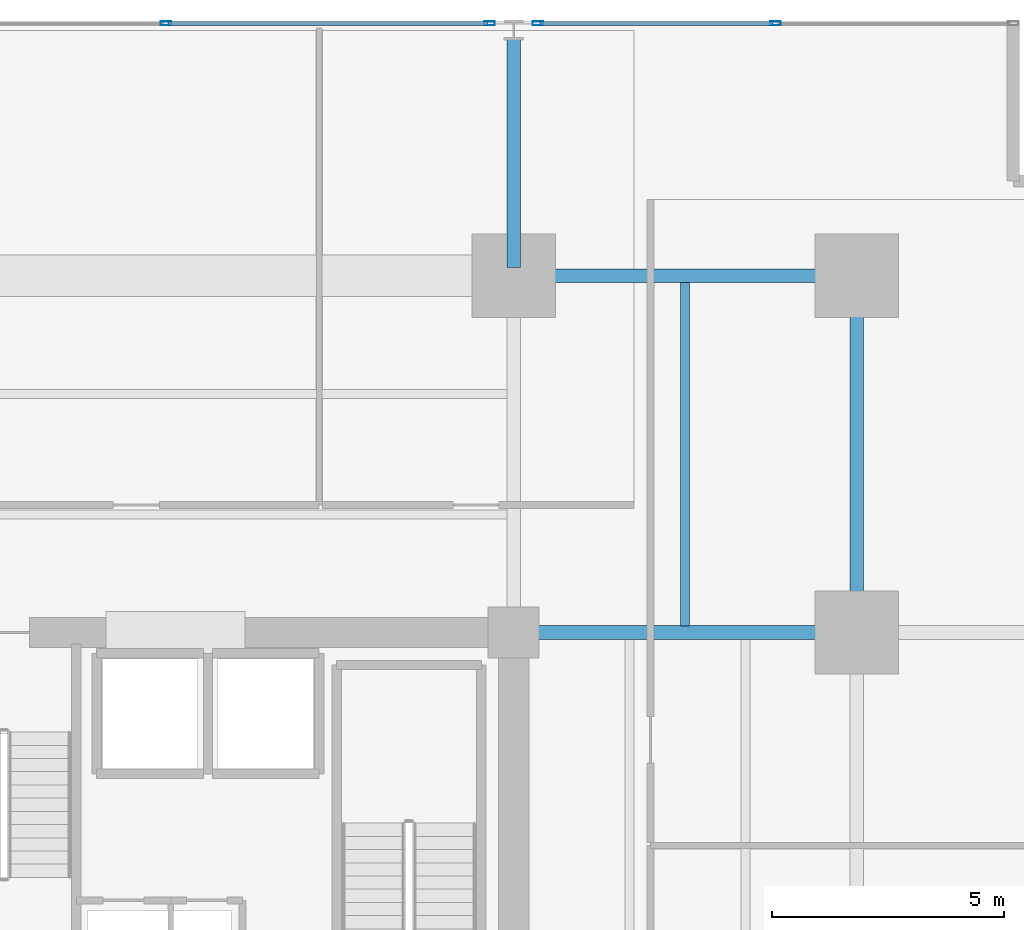
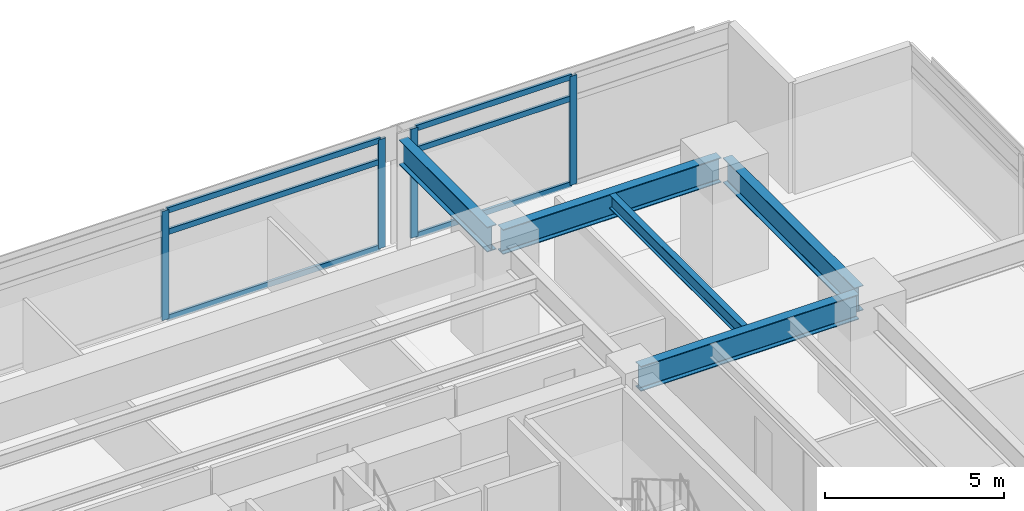
# One storey, part 11 of 22: 10 members, 5 beams, 2 elements without a shape of their own.
"""IFC4 building model written with IfcOpenShell, lengths in metres."""

import ifcopenshell
import ifcopenshell.guid

model = None  # the IFC model being written
_history = None  # IfcOwnerHistory: only IFC2X3 demands one
_inside = {}  # id of a spatial element -> (the spatial element, [elements in it])
_under = {}  # id of a project, library or spatial element -> (it, [spatial elements below it])
_declared = {}  # id of a project -> (the project, [libraries it declares])
_typed = {}  # id of a type object -> (the type object, [elements of that type])
_made_of = {}  # id of a material, layer set ... -> (it, [elements and type objects made of it])


def new_model(schema):
    """Start an empty IFC model of exactly this schema.

    Asked for "IFC4X3", IfcOpenShell would pick the latest addendum, in which some entities
    have other attributes; the version numbers below select the first issue.
    IFC2X3 requires an IfcOwnerHistory on every rooted entity: one is made here for all.
    """
    global model, _history
    if schema == "IFC4X3":
        model = ifcopenshell.file(schema_version=(4, 3, 0, 0))
    else:
        model = ifcopenshell.file(schema=schema)
    _inside.clear()
    _under.clear()
    _declared.clear()
    _typed.clear()
    _made_of.clear()
    _history = None
    if model.schema == "IFC2X3":
        org = make("IfcOrganization", Name="unknown")
        user = make(
            "IfcPersonAndOrganization",
            ThePerson=make("IfcPerson", FamilyName="unknown"),
            TheOrganization=org,
        )
        app = make(
            "IfcApplication",
            ApplicationDeveloper=org,
            Version="unknown",
            ApplicationFullName="unknown",
            ApplicationIdentifier="unknown",
        )
        _history = make(
            "IfcOwnerHistory",
            OwningUser=user,
            OwningApplication=app,
            ChangeAction="ADDED",
            CreationDate=0,
        )
    return model


def make(cls, **values):
    """One entity of the class cls with the attributes given. An attribute that is None is left unset."""
    return model.create_entity(
        cls, **{name: value for name, value in values.items() if value is not None}
    )


def rooted(cls, **values):
    """An entity with a GlobalId (a new one), such as an element, a storey or a relation."""
    return make(cls, GlobalId=ifcopenshell.guid.new(), OwnerHistory=_history, **values)


def si_unit(unit_type, name, prefix=None):
    """IfcSIUnit, for example si_unit("LENGTHUNIT", "METRE", prefix="MILLI")."""
    return make("IfcSIUnit", UnitType=unit_type, Prefix=prefix, Name=name)


def assignment(units):
    """IfcUnitAssignment: the units of a project."""
    return None if units is None else make("IfcUnitAssignment", Units=units)


def point(xyz):
    """IfcCartesianPoint."""
    return None if xyz is None else make("IfcCartesianPoint", Coordinates=xyz)


def direction(xyz):
    """IfcDirection."""
    return None if xyz is None else make("IfcDirection", DirectionRatios=xyz)


def frame(location, z_axis=None, x_axis=None):
    """IfcAxis2Placement3D, a coordinate frame: its origin and axes. An axis left out is left unset."""
    return make(
        "IfcAxis2Placement3D",
        Location=point(location),
        Axis=direction(z_axis),
        RefDirection=direction(x_axis),
    )


def frame_2d(location, x_axis=None):
    """IfcAxis2Placement2D, a coordinate frame in the plane: its origin and x axis."""
    return make(
        "IfcAxis2Placement2D", Location=point(location), RefDirection=direction(x_axis)
    )


def origin():
    """The frame at (0, 0, 0) with its axes left unset."""
    return frame((0.0, 0.0, 0.0))


def origin_2d():
    """The frame at (0, 0) in the plane with its x axis left unset."""
    return frame_2d((0.0, 0.0))


def place(relative_to, where):
    """IfcLocalPlacement: puts the frame where relative to a parent placement (None: the world)."""
    return make(
        "IfcLocalPlacement", PlacementRelTo=relative_to, RelativePlacement=where
    )


def context(
    kind, dimensions, precision=None, world=None, true_north=None, identifier=None
):
    """IfcGeometricRepresentationContext, for example the 3D "Model" context."""
    return make(
        "IfcGeometricRepresentationContext",
        ContextIdentifier=identifier,
        ContextType=kind,
        CoordinateSpaceDimension=dimensions,
        Precision=precision,
        WorldCoordinateSystem=world,
        TrueNorth=true_north,
    )


def subcontext(parent, identifier, kind, view, scale=None):
    """IfcGeometricRepresentationSubContext, for example "Body" below "Model"."""
    return make(
        "IfcGeometricRepresentationSubContext",
        ContextIdentifier=identifier,
        ContextType=kind,
        ParentContext=parent,
        TargetScale=scale,
        TargetView=view,
    )


def project(units=None, contexts=None):
    """IfcProject with its units and contexts."""
    return rooted(
        "IfcProject",
        Name="project",
        RepresentationContexts=contexts,
        UnitsInContext=assignment(units),
    )


def spatial(cls, under=None, at=None, **own):
    """A site, building, storey or space (cls), placed at a placement, below another one or the project."""
    s = rooted(cls, ObjectPlacement=at, **own)
    if under is not None:
        _under.setdefault(under.id(), (under, []))[1].append(s)
    return s


def profile(cls, at=None, kind="AREA", **sizes):
    """A parametric profile (cls). Its sizes go by their IFC names, for example OverallWidth=200.0."""
    return make(cls, ProfileType=kind, Position=at, **sizes)


def hollow_rectangle(**sizes):
    """IfcRectangleHollowProfileDef."""
    return profile("IfcRectangleHollowProfileDef", **sizes)


def i_section(**sizes):
    """IfcIShapeProfileDef."""
    return profile("IfcIShapeProfileDef", **sizes)


def extrude(swept, where, along, depth):
    """IfcExtrudedAreaSolid: the profile swept, set in the frame where, extruded along a direction by depth."""
    return make(
        "IfcExtrudedAreaSolid",
        SweptArea=swept,
        Position=where,
        ExtrudedDirection=direction(along),
        Depth=depth,
    )


def shape(context_of_items, identifier, shape_type, items):
    """IfcShapeRepresentation: the items that make up one representation, for example the "Body"."""
    return make(
        "IfcShapeRepresentation",
        ContextOfItems=context_of_items,
        RepresentationIdentifier=identifier,
        RepresentationType=shape_type,
        Items=items,
    )


def material(Name=None, Category=None):
    """IfcMaterial."""
    return make("IfcMaterial", Name=Name, Category=Category)


def material_profile(
    of_material, cross_section, Name=None, Category=None, Priority=None
):
    """IfcMaterialProfile: a cross section and its material."""
    return make(
        "IfcMaterialProfile",
        Name=Name,
        Material=of_material,
        Profile=cross_section,
        Priority=Priority,
        Category=Category,
    )


def profile_set(profiles, Name=None, composite=None):
    """IfcMaterialProfileSet."""
    return make(
        "IfcMaterialProfileSet",
        Name=Name,
        MaterialProfiles=profiles,
        CompositeProfile=composite,
    )


def made_of(thing, what):
    """Note that an element or type object is made of a material, layer set ...; save() writes the relation."""
    if what is not None:
        _made_of.setdefault(what.id(), (what, []))[1].append(thing)
    return thing


def type_object(cls, material=None, **own):
    """A type object (cls), such as IfcWallType, which elements share."""
    return made_of(rooted(cls, **own), material)


def element(
    cls,
    number,
    at=None,
    inside=None,
    cuts=None,
    type_object=None,
    material=None,
    context=None,
    identifier="Body",
    shape_type=None,
    held_by="IfcProductDefinitionShape",
    body=None,
    shapes=None,
    **own,
):
    """One element of the class cls, such as IfcWall. Its Tag is "e" and its number.

    at: its placement. inside: the storey or other place that contains it. cuts: it is an
    opening in that element (IfcRelVoidsElement). A single representation is given by context,
    identifier, shape_type and body (its items); several are given by shapes. held_by: the class
    of the entity that holds the representations. save() writes the other relations.
    """
    e = rooted(cls, Tag="e%d" % number, ObjectPlacement=at, **own)
    if body is not None:
        shapes = [shape(context, identifier, shape_type, body)]
    if shapes is not None:
        e.Representation = make(held_by, Representations=shapes)
    if inside is not None:
        _inside.setdefault(inside.id(), (inside, []))[1].append(e)
    if cuts is not None:
        rooted(
            "IfcRelVoidsElement", RelatingBuildingElement=cuts, RelatedOpeningElement=e
        )
    if type_object is not None:
        _typed.setdefault(type_object.id(), (type_object, []))[1].append(e)
    return made_of(e, material)


def aggregate(whole, parts):
    """IfcRelAggregates: a whole, such as a stair, and the parts it consists of."""
    return rooted("IfcRelAggregates", RelatingObject=whole, RelatedObjects=parts)


def save(model, path):
    """Write the relations noted so far, then the file.

    IfcRelAggregates (storeys below a building ...), IfcRelContainedInSpatialStructure (elements
    in a storey), IfcRelDefinesByType, IfcRelAssociatesMaterial and IfcRelDeclares: one each for
    every whole, place, type object, material and project.
    """
    for whole, parts in _under.values():
        aggregate(whole, parts)
    for where, things in _inside.values():
        rooted(
            "IfcRelContainedInSpatialStructure",
            RelatedElements=things,
            RelatingStructure=where,
        )
    for kind, things in _typed.values():
        rooted("IfcRelDefinesByType", RelatedObjects=things, RelatingType=kind)
    for what, things in _made_of.values():
        rooted("IfcRelAssociatesMaterial", RelatedObjects=things, RelatingMaterial=what)
    for by, libraries in _declared.values():
        rooted("IfcRelDeclares", RelatingContext=by, RelatedDefinitions=libraries)
    model.write(path)


model = new_model("IFC4")

# Units and contexts
model_context = context("Model", 3, precision=1e-05, world=origin(), true_north=direction((0.0, 1.0)))
body_context = subcontext(model_context, "Body", "Model", "MODEL_VIEW")
ifc_project = project(units=[si_unit("LENGTHUNIT", "METRE"), si_unit("AREAUNIT", "SQUARE_METRE"), si_unit("VOLUMEUNIT", "CUBIC_METRE"), si_unit("PLANEANGLEUNIT", "RADIAN"), si_unit("MASSUNIT", "GRAM", prefix="KILO")], contexts=[model_context])

# Site, building, storey
site_placement = place(None, origin())
site = spatial("IfcSite", under=ifc_project, at=site_placement, CompositionType="ELEMENT")
building_placement = place(site_placement, origin())
building = spatial("IfcBuilding", under=site, at=building_placement, Name="Kovane Verandah Tower", CompositionType="ELEMENT")
storey_placement = place(building_placement, frame((0.0, 0.0, 51.60009765625)))
storey = spatial("IfcBuildingStorey", under=building, at=storey_placement, Name="L11", CompositionType="ELEMENT", Elevation=51.60009765625)

# Beams
ifc_material_1 = material(Name="Steel S355", Category="steel")
ifc_material_profile_1 = material_profile(ifc_material_1, i_section(OverallWidth=0.293701171875, OverallDepth=0.850830078125, WebThickness=0.01611328125, FlangeThickness=0.02685546875, FilletRadius=0.017822265625, at=origin_2d()), Name="UB838x292x226")
ifc_profile_set_1 = profile_set([ifc_material_profile_1], Name="Steel S355")
beam_type_1 = type_object("IfcBeamType", Name="BM-UB838x226", PredefinedType="BEAM", material=ifc_profile_set_1)
beam_1_placement = place(storey_placement, frame((51.179931640625, 44.199951171875, 3.33447265625), z_axis=(1.0, 0.0, 0.0), x_axis=(0.0, 1.0, 0.0)))
element("IfcBeam", 1, at=beam_1_placement, inside=storey, type_object=beam_type_1, Name="L11 Primary Tower Girder G-RN3", PredefinedType="BEAM", context=body_context, shape_type="SweptSolid", body=[
    extrude(i_section(OverallWidth=0.293701171875, OverallDepth=0.850830078125, WebThickness=0.01611328125, FlangeThickness=0.02685546875, FilletRadius=0.017822265625, at=origin_2d()), origin(), (0.0, 0.0, 1.0), 7.0400390625),
])
beam_2_placement = place(storey_placement, frame((58.39990234375, 36.679931640625, 3.33447265625), z_axis=(0.0, 1.0, 0.0), x_axis=(-1.0, 0.0, 0.0)))
element("IfcBeam", 2, at=beam_2_placement, inside=storey, type_object=beam_type_1, Name="L11 Primary Tower Girder G-RE3", PredefinedType="BEAM", context=body_context, shape_type="SweptSolid", body=[
    extrude(i_section(OverallWidth=0.293701171875, OverallDepth=0.850830078125, WebThickness=0.01611328125, FlangeThickness=0.02685546875, FilletRadius=0.017822265625, at=origin_2d()), origin(), (0.0, 0.0, 1.0), 7.340087890625),
])
beam_3_placement = place(storey_placement, frame((51.179931640625, 36.5, 3.33447265625), z_axis=(1.0, 0.0, 0.0), x_axis=(0.0, 1.0, 0.0)))
element("IfcBeam", 3, at=beam_3_placement, inside=storey, type_object=beam_type_1, Name="L11 Primary Tower Girder G-E2", PredefinedType="BEAM", context=body_context, shape_type="SweptSolid", body=[
    extrude(i_section(OverallWidth=0.293701171875, OverallDepth=0.850830078125, WebThickness=0.01611328125, FlangeThickness=0.02685546875, FilletRadius=0.017822265625, at=origin_2d()), origin(), (0.0, 0.0, 1.0), 7.0400390625),
])
beam_4_placement = place(storey_placement, frame((51.0, 44.3798828125, 3.33447265625), z_axis=(0.0, 1.0, 0.0), x_axis=(-1.0, 0.0, 0.0)))
element("IfcBeam", 4, at=beam_4_placement, inside=storey, type_object=beam_type_1, Name="L11 Primary Tower Girder G-VN2", PredefinedType="BEAM", context=body_context, shape_type="SweptSolid", body=[
    extrude(i_section(OverallWidth=0.293701171875, OverallDepth=0.850830078125, WebThickness=0.01611328125, FlangeThickness=0.02685546875, FilletRadius=0.017822265625, at=origin_2d()), origin(), (0.0, 0.0, 1.0), 4.940185546875),
])

# Curtain wall, members
ifc_material_2 = material(Name="Champagne Anodised Aluminium Frame with Low-E Clear Laminated Glass", Category="aluminium")
curtain_wall_type = type_object("IfcCurtainWallType", Name="CW-SYS-02-LOW", PredefinedType="NOTDEFINED", material=ifc_material_2)
curtain_wall_1_placement = place(storey_placement, origin())
curtain_wall_1 = element("IfcCurtainWall", 5, at=curtain_wall_1_placement, inside=storey, type_object=curtain_wall_type, Name="L11 N Unitised Curtain Wall-1", PredefinedType="NOTDEFINED")
ifc_material_3 = material(Name="Champagne Anodised Aluminium 6063-T6", Category="aluminium")
ifc_material_profile_2 = material_profile(ifc_material_3, hollow_rectangle(XDim=0.0849609375, YDim=0.22998046875, WallThickness=0.00390625, at=origin_2d()), Name="AL85x230x4")
ifc_profile_set_2 = profile_set([ifc_material_profile_2], Name="Champagne Anodised Aluminium 6063-T6")
member_type_1 = type_object("IfcMemberType", Name="CW-MUL-85x230", PredefinedType="MULLION", material=ifc_profile_set_2)
member_1_placement = place(storey_placement, frame((56.650146484375, 49.646240234375, 0.02001953125), z_axis=(0.0, 0.0, 1.0), x_axis=(0.0, 1.0, 0.0)))
member_1 = element("IfcMember", 6, at=member_1_placement, type_object=member_type_1, Name="L11 N Unitised Curtain Wall-1 Mullion 2", PredefinedType="MULLION", context=body_context, shape_type="SweptSolid", body=[
    extrude(hollow_rectangle(XDim=0.0849609375, YDim=0.22998046875, WallThickness=0.00390625, at=origin_2d()), origin(), (0.0, 0.0, 1.0), 3.719970703125),
])
member_2_placement = place(storey_placement, frame((51.52001953125, 49.646240234375, 0.02001953125), z_axis=(0.0, 0.0, 1.0), x_axis=(0.0, 1.0, 0.0)))
member_2 = element("IfcMember", 7, at=member_2_placement, type_object=member_type_1, Name="L11 N Unitised Curtain Wall-1 Mullion 3", PredefinedType="MULLION", context=body_context, shape_type="SweptSolid", body=[
    extrude(hollow_rectangle(XDim=0.0849609375, YDim=0.22998046875, WallThickness=0.00390625, at=origin_2d()), origin(), (0.0, 0.0, 1.0), 3.719970703125),
])

curtain_wall_2_placement = place(storey_placement, origin())
curtain_wall_2 = element("IfcCurtainWall", 8, at=curtain_wall_2_placement, inside=storey, type_object=curtain_wall_type, Name="L11 N Unitised Curtain Wall-2", PredefinedType="NOTDEFINED")
member_3_placement = place(storey_placement, frame((50.47998046875, 49.646240234375, 0.02001953125), z_axis=(0.0, 0.0, 1.0), x_axis=(0.0, 1.0, 0.0)))
member_3 = element("IfcMember", 9, at=member_3_placement, type_object=member_type_1, Name="L11 N Unitised Curtain Wall-2 Mullion 1", PredefinedType="MULLION", context=body_context, shape_type="SweptSolid", body=[
    extrude(hollow_rectangle(XDim=0.0849609375, YDim=0.22998046875, WallThickness=0.00390625, at=origin_2d()), origin(), (0.0, 0.0, 1.0), 3.719970703125),
])
member_4_placement = place(storey_placement, frame((43.493408203125, 49.646240234375, 0.02001953125), z_axis=(0.0, 0.0, 1.0), x_axis=(0.0, 1.0, 0.0)))
member_4 = element("IfcMember", 10, at=member_4_placement, type_object=member_type_1, Name="L11 N Unitised Curtain Wall-2 Mullion 2", PredefinedType="MULLION", context=body_context, shape_type="SweptSolid", body=[
    extrude(hollow_rectangle(XDim=0.0849609375, YDim=0.22998046875, WallThickness=0.00390625, at=origin_2d()), origin(), (0.0, 0.0, 1.0), 3.719970703125),
])

# Member
ifc_material_profile_3 = material_profile(ifc_material_3, hollow_rectangle(XDim=0.0849609375, YDim=0.18994140625, WallThickness=0.00390625, at=origin_2d()), Name="AL85x190x4")
ifc_profile_set_3 = profile_set([ifc_material_profile_3], Name="Champagne Anodised Aluminium 6063-T6")
member_type_2 = type_object("IfcMemberType", Name="CW-TRN-85x190", PredefinedType="USERDEFINED", material=ifc_profile_set_3)
member_5_placement = place(storey_placement, frame((56.60009765625, 49.646240234375, 0.0498046875), z_axis=(-1.0, 0.0, 0.0), x_axis=(0.0, -1.0, 0.0)))
member_5 = element("IfcMember", 11, at=member_5_placement, type_object=member_type_2, Name="L11 N Unitised Curtain Wall-1 Transom TB Bay 2", ObjectType="TRANSOM", PredefinedType="USERDEFINED", context=body_context, shape_type="SweptSolid", body=[
    extrude(hollow_rectangle(XDim=0.0849609375, YDim=0.18994140625, WallThickness=0.00390625, at=origin_2d()), origin(), (0.0, 0.0, 1.0), 5.030029296875),
])

member_6_placement = place(storey_placement, frame((56.60009765625, 49.646240234375, 2.97998046875), z_axis=(-1.0, 0.0, 0.0), x_axis=(0.0, -1.0, 0.0)))
member_6 = element("IfcMember", 12, at=member_6_placement, type_object=member_type_2, Name="L11 N Unitised Curtain Wall-1 Transom TM Bay 2", ObjectType="TRANSOM", PredefinedType="USERDEFINED", context=body_context, shape_type="SweptSolid", body=[
    extrude(hollow_rectangle(XDim=0.0849609375, YDim=0.18994140625, WallThickness=0.00390625, at=origin_2d()), origin(), (0.0, 0.0, 1.0), 5.030029296875),
])

member_7_placement = place(storey_placement, frame((56.60009765625, 49.646240234375, 3.7099609375), z_axis=(-1.0, 0.0, 0.0), x_axis=(0.0, -1.0, 0.0)))
member_7 = element("IfcMember", 13, at=member_7_placement, type_object=member_type_2, Name="L11 N Unitised Curtain Wall-1 Transom TT Bay 2", ObjectType="TRANSOM", PredefinedType="USERDEFINED", context=body_context, shape_type="SweptSolid", body=[
    extrude(hollow_rectangle(XDim=0.0849609375, YDim=0.18994140625, WallThickness=0.00390625, at=origin_2d()), origin(), (0.0, 0.0, 1.0), 5.030029296875),
])

aggregate(curtain_wall_1, [member_1, member_2, member_5, member_6, member_7])

member_8_placement = place(storey_placement, frame((50.429931640625, 49.646240234375, 0.0498046875), z_axis=(-1.0, 0.0, 0.0), x_axis=(0.0, -1.0, 0.0)))
member_8 = element("IfcMember", 14, at=member_8_placement, type_object=member_type_2, Name="L11 N Unitised Curtain Wall-2 Transom TB Bay 1", ObjectType="TRANSOM", PredefinedType="USERDEFINED", context=body_context, shape_type="SweptSolid", body=[
    extrude(hollow_rectangle(XDim=0.0849609375, YDim=0.18994140625, WallThickness=0.00390625, at=origin_2d()), origin(), (0.0, 0.0, 1.0), 6.88671875),
])

member_9_placement = place(storey_placement, frame((50.429931640625, 49.646240234375, 2.97998046875), z_axis=(-1.0, 0.0, 0.0), x_axis=(0.0, -1.0, 0.0)))
member_9 = element("IfcMember", 15, at=member_9_placement, type_object=member_type_2, Name="L11 N Unitised Curtain Wall-2 Transom TM Bay 1", ObjectType="TRANSOM", PredefinedType="USERDEFINED", context=body_context, shape_type="SweptSolid", body=[
    extrude(hollow_rectangle(XDim=0.0849609375, YDim=0.18994140625, WallThickness=0.00390625, at=origin_2d()), origin(), (0.0, 0.0, 1.0), 6.88671875),
])

member_10_placement = place(storey_placement, frame((50.429931640625, 49.646240234375, 3.7099609375), z_axis=(-1.0, 0.0, 0.0), x_axis=(0.0, -1.0, 0.0)))
member_10 = element("IfcMember", 16, at=member_10_placement, type_object=member_type_2, Name="L11 N Unitised Curtain Wall-2 Transom TT Bay 1", ObjectType="TRANSOM", PredefinedType="USERDEFINED", context=body_context, shape_type="SweptSolid", body=[
    extrude(hollow_rectangle(XDim=0.0849609375, YDim=0.18994140625, WallThickness=0.00390625, at=origin_2d()), origin(), (0.0, 0.0, 1.0), 6.88671875),
])

aggregate(curtain_wall_2, [member_3, member_4, member_8, member_9, member_10])

# Beam
ifc_material_profile_4 = material_profile(ifc_material_1, i_section(OverallWidth=0.19287109375, OverallDepth=0.46728515625, WebThickness=0.011474609375, FlangeThickness=0.01953125, FilletRadius=0.01025390625, at=origin_2d()), Name="UB457x191x98")
ifc_profile_set_4 = profile_set([ifc_material_profile_4], Name="Steel S355")
beam_type_2 = type_object("IfcBeamType", Name="JST-UB457x98", PredefinedType="JOIST", material=ifc_profile_set_4)
beam_5_placement = place(storey_placement, frame((54.699951171875, 36.64501953125, 3.5263671875), z_axis=(0.0, 1.0, 0.0), x_axis=(-1.0, 0.0, 0.0)))
element("IfcBeam", 17, at=beam_5_placement, inside=storey, type_object=beam_type_2, Name="L11 Secondary Composite Joist J-NE1", PredefinedType="JOIST", context=body_context, shape_type="SweptSolid", body=[
    extrude(i_section(OverallWidth=0.19287109375, OverallDepth=0.46728515625, WebThickness=0.011474609375, FlangeThickness=0.01953125, FilletRadius=0.01025390625, at=origin_2d()), origin(), (0.0, 0.0, 1.0), 7.41015625),
])

save(model, "model.ifc")
